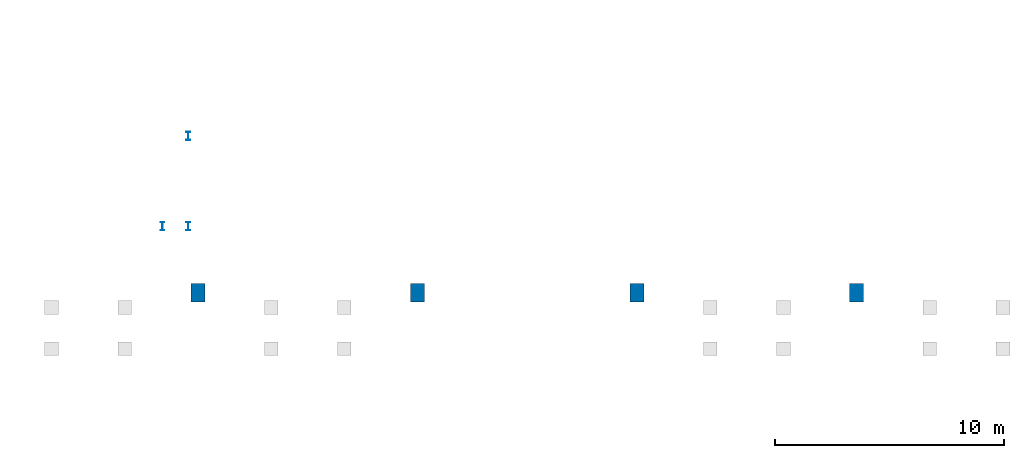
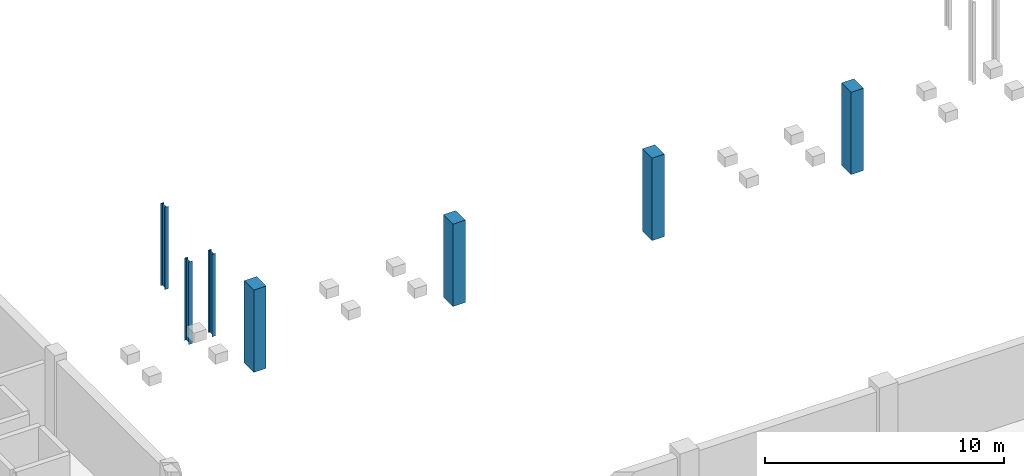
# One storey, part 21 of 47: 7 columns.
"""IFC4 building model written with IfcOpenShell, lengths in metres."""

from ifc_helpers import new_model, si_unit, direction, frame, origin, origin_2d, place, context, subcontext, project, spatial, rectangle, i_section, extrude, material, material_profile, profile_set, type_object, element, save


model = new_model("IFC4")

# Units and contexts
model_context = context("Model", 3, precision=1e-05, world=origin(), true_north=direction((0.0, 1.0)))
body_context = subcontext(model_context, "Body", "Model", "MODEL_VIEW")
ifc_project = project(units=[si_unit("LENGTHUNIT", "METRE"), si_unit("AREAUNIT", "SQUARE_METRE"), si_unit("VOLUMEUNIT", "CUBIC_METRE"), si_unit("PLANEANGLEUNIT", "RADIAN"), si_unit("MASSUNIT", "GRAM", prefix="KILO")], contexts=[model_context])

# Site, building, storey
site_placement = place(None, origin())
site = spatial("IfcSite", under=ifc_project, at=site_placement, CompositionType="ELEMENT")
building_placement = place(site_placement, origin())
building = spatial("IfcBuilding", under=site, at=building_placement, Name="Zevrakil Square Congress Hotel", CompositionType="ELEMENT")
storey_placement = place(building_placement, frame((0.0, 0.0, -4.199951171875)))
storey = spatial("IfcBuildingStorey", under=building, at=storey_placement, Name="B1", CompositionType="ELEMENT", Elevation=-4.199951171875)

# Columns
ifc_material_1 = material(Name="Steel S355", Category="steel")
ifc_material_profile_1 = material_profile(ifc_material_1, i_section(OverallWidth=0.169921875, OverallDepth=0.360107421875, WebThickness=0.008056640625, FlangeThickness=0.0126953125, FilletRadius=0.01806640625, at=origin_2d()), Name="IPE 360")
ifc_profile_set_1 = profile_set([ifc_material_profile_1], Name="Steel S355")
column_type_1 = type_object("IfcColumnType", Name="COL-PILASTER-SHS180", PredefinedType="PILASTER", material=ifc_profile_set_1)
for number, where, z_axis, x_axis, name in (
    (1, (125.64990234375, 67.699951171875, 0.0), (0.0, 0.0, 1.0), (1.0, 0.0, 0.0), "B1 ST08 stair shaft post 1"),
    (2, (126.780029296875, 67.699951171875, 0.0), (0.0, 0.0, 1.0), (1.0, 0.0, 0.0), "B1 ST08 stair shaft post 2"),
    (3, (126.780029296875, 71.64990234375, 0.0), (0.0, 0.0, 1.0), (1.0, 0.0, 0.0), "B1 ST08 stair shaft post 3"),
):
    element("IfcColumn", number, at=place(storey_placement, frame(where, z_axis=z_axis, x_axis=x_axis)), inside=storey, type_object=column_type_1, Name=name, PredefinedType="PILASTER", context=body_context, shape_type="SweptSolid", body=[
        extrude(i_section(OverallWidth=0.169921875, OverallDepth=0.360107421875, WebThickness=0.008056640625, FlangeThickness=0.0126953125, FilletRadius=0.01806640625, at=origin_2d()), origin(), (0.0, 0.0, 1.0), 4.199951171875),
    ])
ifc_material_2 = material(Name="Concrete C40/50", Category="concrete")
ifc_material_profile_2 = material_profile(ifc_material_2, rectangle(XDim=0.60009765625, YDim=0.800048828125, at=origin_2d()), Name="RC 600x800")
ifc_profile_set_2 = profile_set([ifc_material_profile_2], Name="Concrete C40/50")
column_type_2 = type_object("IfcColumnType", Name="COL-RC600x800", PredefinedType="COLUMN", material=ifc_profile_set_2)
for number, where, z_axis, x_axis, name in (
    (4, (127.199951171875, 64.800048828125, 0.0), (0.0, 0.0, 1.0), (1.0, 0.0, 0.0), "B1 column C-201"),
    (5, (136.800048828125, 64.800048828125, 0.0), (0.0, 0.0, 1.0), (1.0, 0.0, 0.0), "B1 column C-210"),
    (6, (146.39990234375, 64.800048828125, 0.0), (0.0, 0.0, 1.0), (1.0, 0.0, 0.0), "B1 column C-217"),
    (7, (156.0, 64.800048828125, 0.0), (0.0, 0.0, 1.0), (1.0, 0.0, 0.0), "B1 column C-226"),
):
    element("IfcColumn", number, at=place(storey_placement, frame(where, z_axis=z_axis, x_axis=x_axis)), inside=storey, type_object=column_type_2, Name=name, PredefinedType="COLUMN", context=body_context, shape_type="SweptSolid", body=[
        extrude(rectangle(XDim=0.60009765625, YDim=0.800048828125, at=origin_2d()), origin(), (0.0, 0.0, 1.0), 4.199951171875),
    ])

save(model, "model.ifc")
